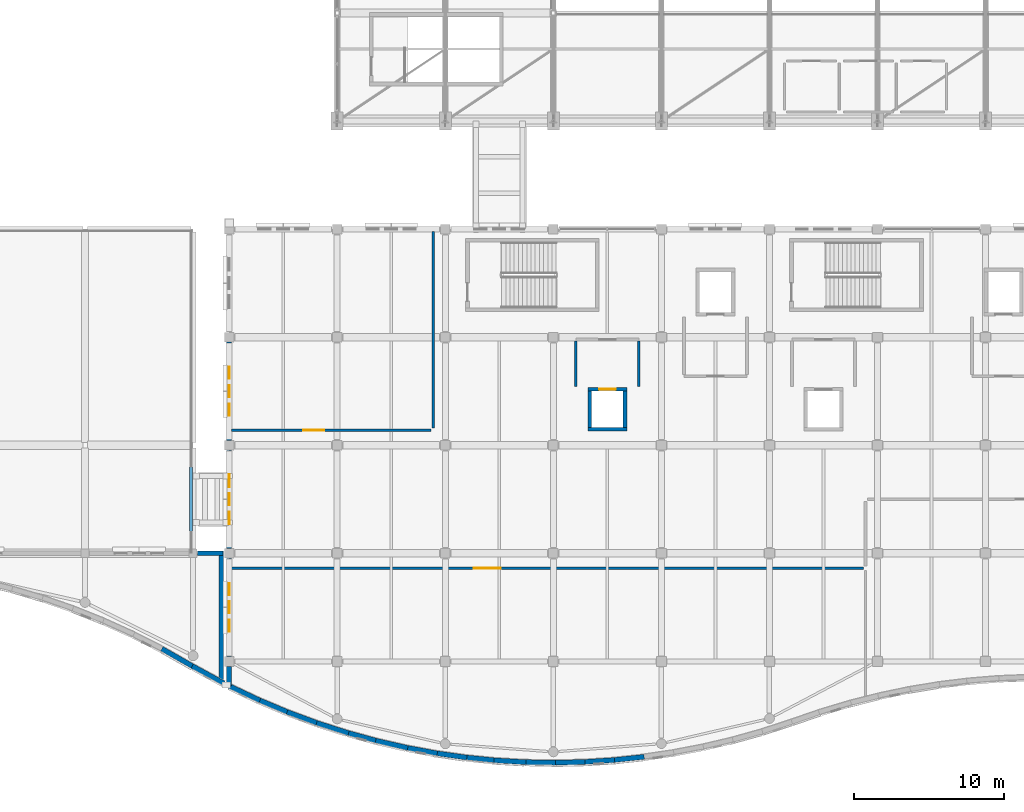
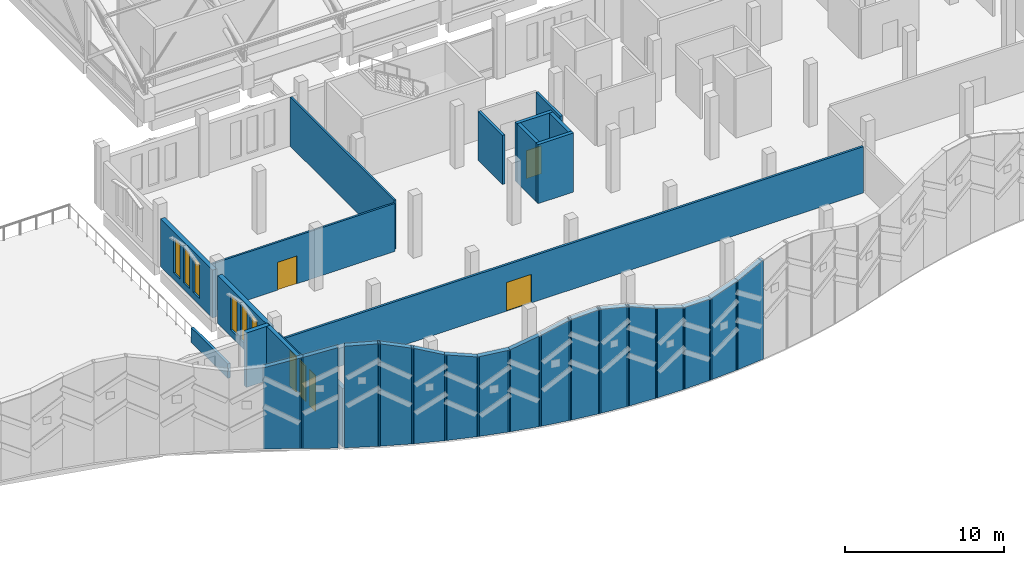
# One storey, part 88 of 116: 32 walls, 9 windows, 3 doors, 12 openings.
"""IFC4 building model written with IfcOpenShell, lengths in metres."""

from ifc_helpers import new_model, si_unit, direction, frame, frame_2d, origin, place, context, subcontext, project, spatial, polyline, rectangle, outline, extrude, material, layer, layer_set, type_object, element, fill, save


model = new_model("IFC4")

# Units and contexts
model_context = context("Model", 3, precision=1e-05, world=origin(), true_north=direction((0.0, 1.0)))
body_context = subcontext(model_context, "Body", "Model", "MODEL_VIEW")
ifc_project = project(units=[si_unit("LENGTHUNIT", "METRE"), si_unit("AREAUNIT", "SQUARE_METRE"), si_unit("VOLUMEUNIT", "CUBIC_METRE"), si_unit("PLANEANGLEUNIT", "RADIAN"), si_unit("MASSUNIT", "GRAM", prefix="KILO")], contexts=[model_context])

# Site, building, storey
site_placement = place(None, origin())
site = spatial("IfcSite", under=ifc_project, at=site_placement, CompositionType="ELEMENT")
building_placement = place(site_placement, origin())
building = spatial("IfcBuilding", under=site, at=building_placement, Name="Cendralis Lancet Convention Centre", CompositionType="ELEMENT")
storey_placement = place(building_placement, frame((0.0, 0.0, 15.0)))
storey = spatial("IfcBuildingStorey", under=building, at=storey_placement, Name="L03", CompositionType="ELEMENT", Elevation=15.0)

# Walls
ifc_material_1 = material(Name="Buff sandstone ashlar and Concrete G40 (C40/50)", Category="masonry")
ifc_layer_1 = layer(ifc_material_1, 0.18994140625, Name="Buff sandstone ashlar and Concrete G40 (C40/50)")
ifc_layer_set_1 = layer_set([ifc_layer_1], Name="Buff sandstone ashlar and Concrete G40 (C40/50)")
wall_type_1 = type_object("IfcWallType", Name="ARC-EW-P190", PredefinedType="PARAPET", material=ifc_layer_set_1)
wall_1_placement = place(storey_placement, frame((129.449951171875, 15.699951171875, 0.0), z_axis=(0.0, 0.0, 1.0), x_axis=(0.0, 1.0, 0.0)))
element("IfcWall", 1, at=wall_1_placement, inside=storey, type_object=wall_type_1, Name="L03 Roof Parapet Wall PR-02 #008", PredefinedType="PARAPET", context=body_context, shape_type="SweptSolid", body=[
    extrude(rectangle(XDim=4.60009765625, YDim=0.18994140625, at=frame_2d((2.300048828125, 0.0))), origin(), (0.0, 0.0, 1.0), 1.1201171875),
])
ifc_layer_2 = layer(ifc_material_1, 0.280029296875, Name="Buff sandstone ashlar and Concrete G40 (C40/50)")
ifc_layer_set_2 = layer_set([ifc_layer_2], Name="Buff sandstone ashlar and Concrete G40 (C40/50)")
wall_type_2 = type_object("IfcWallType", Name="ARC-EW-W280", PredefinedType="STANDARD", material=ifc_layer_set_2)
wall_2_placement = place(storey_placement, frame((131.47998046875, 14.5400390625, 0.0), z_axis=(0.0, 0.0, 1.0), x_axis=(0.0, -1.0, 0.0)))
element("IfcWall", 2, at=wall_2_placement, inside=storey, type_object=wall_type_2, Name="L03 V4 Wave East End Wall", PredefinedType="STANDARD", context=body_context, shape_type="SweptSolid", body=[
    extrude(rectangle(XDim=8.797119140625, YDim=0.280029296875, at=frame_2d((4.3984375, 0.0))), origin(), (0.0, 0.0, 1.0), 4.199951171875),
])
ifc_layer_3 = layer(ifc_material_1, 0.320068359375, Name="Buff sandstone ashlar and Concrete G40 (C40/50)")
ifc_layer_set_3 = layer_set([ifc_layer_3], Name="Buff sandstone ashlar and Concrete G40 (C40/50)")
wall_type_3 = type_object("IfcWallType", Name="ARC-EW-W320", PredefinedType="STANDARD", material=ifc_layer_set_3)
wall_3_placement = place(storey_placement, frame((129.883056640625, 14.39990234375, 0.0), z_axis=(0.0, 0.0, 1.0), x_axis=(1.0, 0.0, 0.0)))
element("IfcWall", 3, at=wall_3_placement, inside=storey, type_object=wall_type_3, Name="L03 V4 Exterior Wall EW-06 #0228", PredefinedType="STANDARD", context=body_context, shape_type="SweptSolid", body=[
    extrude(rectangle(XDim=1.697021484375, YDim=0.320068359375, at=frame_2d((0.8486328125, 0.0))), origin(), (0.0, 0.0, 1.0), 4.199951171875),
])
wall_4_placement = place(storey_placement, frame((132.0, 5.56005859375, 0.0), z_axis=(0.0, 0.0, 1.0), x_axis=(0.0, 1.0, 0.0)))
element("IfcWall", 4, at=wall_4_placement, inside=storey, type_object=wall_type_3, Name="L03 V5 Exterior Wall EW-06 #0314", PredefinedType="STANDARD", context=body_context, shape_type="SweptSolid", body=[
    extrude(rectangle(XDim=1.306884765625, YDim=0.320068359375, at=frame_2d((0.6533203125, 0.0))), origin(), (0.0, 0.0, 1.0), 4.5),
])

# Wall, openings, windows
wall_5_placement = place(storey_placement, frame((132.0, 7.532958984375, 0.0), z_axis=(0.0, 0.0, 1.0), x_axis=(0.0, 1.0, 0.0)))
wall_5 = element("IfcWall", 5, at=wall_5_placement, inside=storey, type_object=wall_type_3, Name="L03 V5 Exterior Wall EW-06 #0315", PredefinedType="STANDARD", context=body_context, shape_type="SweptSolid", body=[
    extrude(rectangle(XDim=6.533935546875, YDim=0.320068359375, at=frame_2d((3.26708984375, 0.0))), origin(), (0.0, 0.0, 1.0), 3.56494140625),
])
opening_1_placement = place(wall_5_placement, frame((1.64697265625, 0.0, 0.5)))
opening_1 = element("IfcOpeningElement", 6, at=opening_1_placement, cuts=wall_5, Name="Opening WN-07", PredefinedType="OPENING", context=body_context, shape_type="SweptSolid", body=[
    extrude(rectangle(XDim=0.800048828125, YDim=2.75, at=frame_2d((0.39990234375, 1.375))), frame((0.0, 0.169921875, 0.0), z_axis=(0.0, -1.0, 0.0), x_axis=(1.0, 0.0, 0.0)), (0.0, 0.0, 1.0), 0.340087890625),
])
opening_2_placement = place(wall_5_placement, frame((2.866943359375, 0.0, 0.5)))
opening_2 = element("IfcOpeningElement", 7, at=opening_2_placement, cuts=wall_5, Name="Opening WN-07", PredefinedType="OPENING", context=body_context, shape_type="SweptSolid", body=[
    extrude(rectangle(XDim=0.800048828125, YDim=2.75, at=frame_2d((0.39990234375, 1.375))), frame((0.0, 0.169921875, 0.0), z_axis=(0.0, -1.0, 0.0), x_axis=(1.0, 0.0, 0.0)), (0.0, 0.0, 1.0), 0.340087890625),
])
opening_3_placement = place(wall_5_placement, frame((4.0869140625, 0.0, 0.5)))
opening_3 = element("IfcOpeningElement", 8, at=opening_3_placement, cuts=wall_5, Name="Opening WN-07", PredefinedType="OPENING", context=body_context, shape_type="SweptSolid", body=[
    extrude(rectangle(XDim=0.800048828125, YDim=2.75, at=frame_2d((0.39990234375, 1.375))), frame((0.0, 0.169921875, 0.0), z_axis=(0.0, -1.0, 0.0), x_axis=(1.0, 0.0, 0.0)), (0.0, 0.0, 1.0), 0.340087890625),
])
ifc_material_2 = material(Name="Double-glazed low-E solar-control glass", Category="glass")
window_type_1 = type_object("IfcWindowType", Name="ARC-WN-LW07", PartitioningType="SINGLE_PANEL", PredefinedType="WINDOW", material=ifc_material_2)
window_1_placement = place(opening_1_placement, origin())
window_1 = element("IfcWindow", 9, at=window_1_placement, inside=storey, type_object=window_type_1, Name="Gothic Lancet Window WN-07 #0622", OverallHeight=2.75, OverallWidth=0.800048828125, PartitioningType="SINGLE_PANEL", PredefinedType="WINDOW", context=body_context, shape_type="SweptSolid", body=[
    extrude(rectangle(XDim=0.800048828125, YDim=2.75, at=frame_2d((0.39990234375, 1.375))), frame((0.0, 0.030029296875, 0.0), z_axis=(0.0, -1.0, 0.0), x_axis=(1.0, 0.0, 0.0)), (0.0, 0.0, 1.0), 0.06005859375),
])
fill(opening_1, window_1)
window_2_placement = place(opening_2_placement, origin())
window_2 = element("IfcWindow", 10, at=window_2_placement, inside=storey, type_object=window_type_1, Name="Gothic Lancet Window WN-07 #0623", OverallHeight=2.75, OverallWidth=0.800048828125, PartitioningType="SINGLE_PANEL", PredefinedType="WINDOW", context=body_context, shape_type="SweptSolid", body=[
    extrude(rectangle(XDim=0.800048828125, YDim=2.75, at=frame_2d((0.39990234375, 1.375))), frame((0.0, 0.030029296875, 0.0), z_axis=(0.0, -1.0, 0.0), x_axis=(1.0, 0.0, 0.0)), (0.0, 0.0, 1.0), 0.06005859375),
])
fill(opening_2, window_2)
window_3_placement = place(opening_3_placement, origin())
window_3 = element("IfcWindow", 11, at=window_3_placement, inside=storey, type_object=window_type_1, Name="Gothic Lancet Window WN-07 #0624", OverallHeight=2.75, OverallWidth=0.800048828125, PartitioningType="SINGLE_PANEL", PredefinedType="WINDOW", context=body_context, shape_type="SweptSolid", body=[
    extrude(rectangle(XDim=0.800048828125, YDim=2.75, at=frame_2d((0.39990234375, 1.375))), frame((0.0, 0.030029296875, 0.0), z_axis=(0.0, -1.0, 0.0), x_axis=(1.0, 0.0, 0.0)), (0.0, 0.0, 1.0), 0.06005859375),
])
fill(opening_3, window_3)

wall_6_placement = place(storey_placement, frame((132.0, 14.73291015625, 0.0), z_axis=(0.0, 0.0, 1.0), x_axis=(0.0, 1.0, 0.0)))
wall_6 = element("IfcWall", 12, at=wall_6_placement, inside=storey, type_object=wall_type_3, Name="L03 V5 Exterior Wall EW-06 #0316", PredefinedType="STANDARD", context=body_context, shape_type="SweptSolid", body=[
    extrude(rectangle(XDim=6.5341796875, YDim=0.320068359375, at=frame_2d((3.26708984375, 0.0))), origin(), (0.0, 0.0, 1.0), 3.68505859375),
])
opening_4_placement = place(wall_6_placement, frame((1.60693359375, 0.0, 0.5)))
opening_4 = element("IfcOpeningElement", 13, at=opening_4_placement, cuts=wall_6, Name="Opening WN-15", PredefinedType="OPENING", context=body_context, shape_type="SweptSolid", body=[
    extrude(rectangle(XDim=0.840087890625, YDim=2.699951171875, at=frame_2d((0.419921875, 1.35009765625))), frame((0.0, 0.169921875, 0.0), z_axis=(0.0, -1.0, 0.0), x_axis=(1.0, 0.0, 0.0)), (0.0, 0.0, 1.0), 0.340087890625),
])
opening_5_placement = place(wall_6_placement, frame((2.866943359375, 0.0, 0.5)))
opening_5 = element("IfcOpeningElement", 14, at=opening_5_placement, cuts=wall_6, Name="Opening WN-07", PredefinedType="OPENING", context=body_context, shape_type="SweptSolid", body=[
    extrude(rectangle(XDim=0.800048828125, YDim=2.75, at=frame_2d((0.39990234375, 1.375))), frame((0.0, 0.169921875, 0.0), z_axis=(0.0, -1.0, 0.0), x_axis=(1.0, 0.0, 0.0)), (0.0, 0.0, 1.0), 0.340087890625),
])
opening_6_placement = place(wall_6_placement, frame((4.0869140625, 0.0, 0.5)))
opening_6 = element("IfcOpeningElement", 15, at=opening_6_placement, cuts=wall_6, Name="Opening WN-15", PredefinedType="OPENING", context=body_context, shape_type="SweptSolid", body=[
    extrude(rectangle(XDim=0.840087890625, YDim=2.699951171875, at=frame_2d((0.419921875, 1.35009765625))), frame((0.0, 0.169921875, 0.0), z_axis=(0.0, -1.0, 0.0), x_axis=(1.0, 0.0, 0.0)), (0.0, 0.0, 1.0), 0.340087890625),
])
window_4_placement = place(opening_5_placement, origin())
window_4 = element("IfcWindow", 16, at=window_4_placement, inside=storey, type_object=window_type_1, Name="Gothic Lancet Window WN-07 #0626", OverallHeight=2.75, OverallWidth=0.800048828125, PartitioningType="SINGLE_PANEL", PredefinedType="WINDOW", context=body_context, shape_type="SweptSolid", body=[
    extrude(rectangle(XDim=0.800048828125, YDim=2.75, at=frame_2d((0.39990234375, 1.375))), frame((0.0, 0.030029296875, 0.0), z_axis=(0.0, -1.0, 0.0), x_axis=(1.0, 0.0, 0.0)), (0.0, 0.0, 1.0), 0.06005859375),
])
fill(opening_5, window_4)
window_type_2 = type_object("IfcWindowType", Name="ARC-WN-LW15", PartitioningType="SINGLE_PANEL", PredefinedType="WINDOW", material=ifc_material_2)
window_5_placement = place(opening_4_placement, origin())
window_5 = element("IfcWindow", 17, at=window_5_placement, inside=storey, type_object=window_type_2, Name="Gothic Lancet Window WN-15 #0625", OverallHeight=2.699951171875, OverallWidth=0.840087890625, PartitioningType="SINGLE_PANEL", PredefinedType="WINDOW", context=body_context, shape_type="SweptSolid", body=[
    extrude(rectangle(XDim=0.840087890625, YDim=2.699951171875, at=frame_2d((0.419921875, 1.35009765625))), frame((0.0, 0.030029296875, 0.0), z_axis=(0.0, -1.0, 0.0), x_axis=(1.0, 0.0, 0.0)), (0.0, 0.0, 1.0), 0.06005859375),
])
fill(opening_4, window_5)
window_6_placement = place(opening_6_placement, origin())
window_6 = element("IfcWindow", 18, at=window_6_placement, inside=storey, type_object=window_type_2, Name="Gothic Lancet Window WN-15 #0627", OverallHeight=2.699951171875, OverallWidth=0.840087890625, PartitioningType="SINGLE_PANEL", PredefinedType="WINDOW", context=body_context, shape_type="SweptSolid", body=[
    extrude(rectangle(XDim=0.840087890625, YDim=2.699951171875, at=frame_2d((0.419921875, 1.35009765625))), frame((0.0, 0.030029296875, 0.0), z_axis=(0.0, -1.0, 0.0), x_axis=(1.0, 0.0, 0.0)), (0.0, 0.0, 1.0), 0.06005859375),
])
fill(opening_6, window_6)

wall_7_placement = place(storey_placement, frame((132.0, 21.93310546875, 0.0), z_axis=(0.0, 0.0, 1.0), x_axis=(0.0, 1.0, 0.0)))
wall_7 = element("IfcWall", 19, at=wall_7_placement, inside=storey, type_object=wall_type_3, Name="L03 V5 Exterior Wall EW-06 #0317", PredefinedType="STANDARD", context=body_context, shape_type="SweptSolid", body=[
    extrude(rectangle(XDim=6.533935546875, YDim=0.320068359375, at=frame_2d((3.26708984375, 0.0))), origin(), (0.0, 0.0, 1.0), 3.68505859375),
])
opening_7_placement = place(wall_7_placement, frame((1.64697265625, 0.0, 0.5)))
opening_7 = element("IfcOpeningElement", 20, at=opening_7_placement, cuts=wall_7, Name="Opening WN-07", PredefinedType="OPENING", context=body_context, shape_type="SweptSolid", body=[
    extrude(rectangle(XDim=0.800048828125, YDim=2.75, at=frame_2d((0.39990234375, 1.375))), frame((0.0, 0.169921875, 0.0), z_axis=(0.0, -1.0, 0.0), x_axis=(1.0, 0.0, 0.0)), (0.0, 0.0, 1.0), 0.340087890625),
])
opening_8_placement = place(wall_7_placement, frame((2.866943359375, 0.0, 0.5)))
opening_8 = element("IfcOpeningElement", 21, at=opening_8_placement, cuts=wall_7, Name="Opening WN-07", PredefinedType="OPENING", context=body_context, shape_type="SweptSolid", body=[
    extrude(rectangle(XDim=0.800048828125, YDim=2.75, at=frame_2d((0.39990234375, 1.375))), frame((0.0, 0.169921875, 0.0), z_axis=(0.0, -1.0, 0.0), x_axis=(1.0, 0.0, 0.0)), (0.0, 0.0, 1.0), 0.340087890625),
])
opening_9_placement = place(wall_7_placement, frame((4.0869140625, 0.0, 0.5)))
opening_9 = element("IfcOpeningElement", 22, at=opening_9_placement, cuts=wall_7, Name="Opening WN-07", PredefinedType="OPENING", context=body_context, shape_type="SweptSolid", body=[
    extrude(rectangle(XDim=0.800048828125, YDim=2.75, at=frame_2d((0.39990234375, 1.375))), frame((0.0, 0.169921875, 0.0), z_axis=(0.0, -1.0, 0.0), x_axis=(1.0, 0.0, 0.0)), (0.0, 0.0, 1.0), 0.340087890625),
])
window_7_placement = place(opening_7_placement, origin())
window_7 = element("IfcWindow", 23, at=window_7_placement, inside=storey, type_object=window_type_1, Name="Gothic Lancet Window WN-07 #0628", OverallHeight=2.75, OverallWidth=0.800048828125, PartitioningType="SINGLE_PANEL", PredefinedType="WINDOW", context=body_context, shape_type="SweptSolid", body=[
    extrude(rectangle(XDim=0.800048828125, YDim=2.75, at=frame_2d((0.39990234375, 1.375))), frame((0.0, 0.030029296875, 0.0), z_axis=(0.0, -1.0, 0.0), x_axis=(1.0, 0.0, 0.0)), (0.0, 0.0, 1.0), 0.06005859375),
])
fill(opening_7, window_7)
window_8_placement = place(opening_8_placement, origin())
window_8 = element("IfcWindow", 24, at=window_8_placement, inside=storey, type_object=window_type_1, Name="Gothic Lancet Window WN-07 #0629", OverallHeight=2.75, OverallWidth=0.800048828125, PartitioningType="SINGLE_PANEL", PredefinedType="WINDOW", context=body_context, shape_type="SweptSolid", body=[
    extrude(rectangle(XDim=0.800048828125, YDim=2.75, at=frame_2d((0.39990234375, 1.375))), frame((0.0, 0.030029296875, 0.0), z_axis=(0.0, -1.0, 0.0), x_axis=(1.0, 0.0, 0.0)), (0.0, 0.0, 1.0), 0.06005859375),
])
fill(opening_8, window_8)
window_9_placement = place(opening_9_placement, origin())
window_9 = element("IfcWindow", 25, at=window_9_placement, inside=storey, type_object=window_type_1, Name="Gothic Lancet Window WN-07 #0630", OverallHeight=2.75, OverallWidth=0.800048828125, PartitioningType="SINGLE_PANEL", PredefinedType="WINDOW", context=body_context, shape_type="SweptSolid", body=[
    extrude(rectangle(XDim=0.800048828125, YDim=2.75, at=frame_2d((0.39990234375, 1.375))), frame((0.0, 0.030029296875, 0.0), z_axis=(0.0, -1.0, 0.0), x_axis=(1.0, 0.0, 0.0)), (0.0, 0.0, 1.0), 0.06005859375),
])
fill(opening_9, window_9)

# Walls
ifc_layer_4 = layer(ifc_material_1, 0.340087890625, Name="Buff sandstone ashlar and Concrete G40 (C40/50)")
ifc_layer_set_4 = layer_set([ifc_layer_4], Name="Buff sandstone ashlar and Concrete G40 (C40/50)")
wall_type_4 = type_object("IfcWallType", Name="ARC-EW-W340", PredefinedType="STANDARD", material=ifc_layer_set_4)
wall_8_placement = place(storey_placement, frame((127.51611328125, 8.037109375, 0.0), z_axis=(0.0, 0.0, 1.0), x_axis=(0.869365001854, -0.494170510605, 0.0)))
element("IfcWall", 26, at=wall_8_placement, inside=storey, type_object=wall_type_4, Name="South Boulevard Wave Crest Wall L03 WP-064-WP-065", PredefinedType="STANDARD", context=body_context, shape_type="SweptSolid", body=[
    extrude(outline(polyline([(0.0, 0.0), (2.499267578125, 0.0), (2.499267578125, 7.02001953125), (0.0, 6.22216796875), (0.0, 0.0)])), frame((0.0, 0.169921875, 0.0), z_axis=(0.0, -1.0, 0.0), x_axis=(1.0, 0.0, 0.0)), (0.0, 0.0, 1.0), 0.340087890625),
])
wall_9_placement = place(storey_placement, frame((129.540283203125, 6.884521484375, 0.0), z_axis=(0.0, 0.0, 1.0), x_axis=(0.878535047762, -0.477677893411, 0.0)))
element("IfcWall", 27, at=wall_9_placement, inside=storey, type_object=wall_type_4, Name="South Boulevard Wave Crest Wall L03 WP-065-WP-066", PredefinedType="STANDARD", context=body_context, shape_type="SweptSolid", body=[
    extrude(outline(polyline([(0.0, 0.0), (2.389892578125, 0.0), (2.389892578125, 7.731689453125), (0.0, 6.957763671875), (0.0, 0.0)])), frame((0.0, 0.169921875, 0.0), z_axis=(0.0, -1.0, 0.0), x_axis=(1.0, 0.0, 0.0)), (0.0, 0.0, 1.0), 0.340087890625),
])
wall_10_placement = place(storey_placement, frame((132.0, 5.56005859375, 0.0), z_axis=(0.0, 0.0, 1.0), x_axis=(0.903507193963, -0.428572923151, 0.0)))
element("IfcWall", 28, at=wall_10_placement, inside=storey, type_object=wall_type_4, Name="South Boulevard Wave Crest Wall L03 WP-067-WP-068", PredefinedType="STANDARD", context=body_context, shape_type="SweptSolid", body=[
    extrude(outline(polyline([(0.0, 0.0), (2.264404296875, 0.0), (2.264404296875, 7.89208984375), (0.0, 7.818115234375), (0.0, 0.0)])), frame((0.0, 0.169921875, 0.0), z_axis=(0.0, -1.0, 0.0), x_axis=(1.0, 0.0, 0.0)), (0.0, 0.0, 1.0), 0.340087890625),
])
wall_11_placement = place(storey_placement, frame((133.890625, 4.658935546875, 0.0), z_axis=(0.0, 0.0, 1.0), x_axis=(0.921828570825, -0.387597840564, 0.0)))
element("IfcWall", 29, at=wall_11_placement, inside=storey, type_object=wall_type_4, Name="South Boulevard Wave Crest Wall L03 WP-068-WP-069", PredefinedType="STANDARD", context=body_context, shape_type="SweptSolid", body=[
    extrude(outline(polyline([(0.0, 0.0), (2.305908203125, 0.0), (2.30615234375, 7.335205078125), (0.0, 7.91259765625), (0.0, 0.0)])), frame((0.0, 0.169921875, 0.0), z_axis=(0.0, -1.0, 0.0), x_axis=(1.0, 0.0, 0.0)), (0.0, 0.0, 1.0), 0.340087890625),
])
wall_12_placement = place(storey_placement, frame((135.8583984375, 3.827392578125, 0.0), z_axis=(0.0, 0.0, 1.0), x_axis=(0.93814646978, -0.346238647813, 0.0)))
element("IfcWall", 30, at=wall_12_placement, inside=storey, type_object=wall_type_4, Name="South Boulevard Wave Crest Wall L03 WP-069-WP-070", PredefinedType="STANDARD", context=body_context, shape_type="SweptSolid", body=[
    extrude(outline(polyline([(0.0, 0.0), (2.269775390625, 0.0), (2.269775390625, 6.556396484375), (0.0, 7.395263671875), (0.0, 0.0)])), frame((0.0, 0.169921875, 0.0), z_axis=(0.0, -1.0, 0.0), x_axis=(1.0, 0.0, 0.0)), (0.0, 0.0, 1.0), 0.340087890625),
])
wall_13_placement = place(storey_placement, frame((137.8271484375, 3.096923828125, 0.0), z_axis=(0.0, 0.0, 1.0), x_axis=(0.952169210283, -0.305571260083, 0.0)))
element("IfcWall", 31, at=wall_13_placement, inside=storey, type_object=wall_type_4, Name="South Boulevard Wave Crest Wall L03 WP-070-WP-071", PredefinedType="STANDARD", context=body_context, shape_type="SweptSolid", body=[
    extrude(outline(polyline([(0.0, 0.0), (2.23779296875, 0.0), (2.23779296875, 6.10498046875), (0.0, 6.614501953125), (0.0, 0.0)])), frame((0.0, 0.169921875, 0.0), z_axis=(0.0, -1.0, 0.0), x_axis=(1.0, 0.0, 0.0)), (0.0, 0.0, 1.0), 0.340087890625),
])
wall_14_placement = place(storey_placement, frame((139.794921875, 2.46142578125, 0.0), z_axis=(0.0, 0.0, 1.0), x_axis=(0.964393520916, -0.264471429108, 0.0)))
element("IfcWall", 32, at=wall_14_placement, inside=storey, type_object=wall_type_4, Name="South Boulevard Wave Crest Wall L03 WP-071-WP-072", PredefinedType="STANDARD", context=body_context, shape_type="SweptSolid", body=[
    extrude(outline(polyline([(0.0, 0.0), (2.2119140625, 0.0), (2.2119140625, 6.301025390625), (0.0, 6.119384765625), (0.0, 0.0)])), frame((0.0, 0.169921875, 0.0), z_axis=(0.0, -1.0, 0.0), x_axis=(1.0, 0.0, 0.0)), (0.0, 0.0, 1.0), 0.340087890625),
])
wall_15_placement = place(storey_placement, frame((141.76318359375, 1.91796875, 0.0), z_axis=(0.0, 0.0, 1.0), x_axis=(0.974752541238, -0.223287893424, 0.0)))
element("IfcWall", 33, at=wall_15_placement, inside=storey, type_object=wall_type_4, Name="South Boulevard Wave Crest Wall L03 WP-072-WP-073", PredefinedType="STANDARD", context=body_context, shape_type="SweptSolid", body=[
    extrude(outline(polyline([(0.0, 0.0), (2.18994140625, 0.0), (2.190185546875, 7.015869140625), (0.0, 6.260009765625), (0.0, 0.0)])), frame((0.0, 0.169921875, 0.0), z_axis=(0.0, -1.0, 0.0), x_axis=(1.0, 0.0, 0.0)), (0.0, 0.0, 1.0), 0.340087890625),
])
wall_16_placement = place(storey_placement, frame((143.7314453125, 1.46337890625, 0.0), z_axis=(0.0, 0.0, 1.0), x_axis=(0.983183551004, -0.182620111256, 0.0)))
element("IfcWall", 34, at=wall_16_placement, inside=storey, type_object=wall_type_4, Name="South Boulevard Wave Crest Wall L03 WP-073-WP-074", PredefinedType="STANDARD", context=body_context, shape_type="SweptSolid", body=[
    extrude(outline(polyline([(0.0, 0.0), (2.173828125, 0.0), (2.173828125, 7.760009765625), (0.0, 6.946044921875), (0.0, 0.0)])), frame((0.0, 0.169921875, 0.0), z_axis=(0.0, -1.0, 0.0), x_axis=(1.0, 0.0, 0.0)), (0.0, 0.0, 1.0), 0.340087890625),
])
wall_17_placement = place(storey_placement, frame((145.700927734375, 1.093994140625, 0.0), z_axis=(0.0, 0.0, 1.0), x_axis=(0.989974357752, -0.141247198176, 0.0)))
element("IfcWall", 35, at=wall_17_placement, inside=storey, type_object=wall_type_4, Name="South Boulevard Wave Crest Wall L03 WP-074-WP-075", PredefinedType="STANDARD", context=body_context, shape_type="SweptSolid", body=[
    extrude(outline(polyline([(0.0, 0.0), (2.158935546875, 0.0), (2.158935546875, 8.023681640625), (0.0, 7.709716796875), (0.0, 0.0)])), frame((0.0, 0.169921875, 0.0), z_axis=(0.0, -1.0, 0.0), x_axis=(1.0, 0.0, 0.0)), (0.0, 0.0, 1.0), 0.340087890625),
])
wall_18_placement = place(storey_placement, frame((147.66943359375, 0.8095703125, 0.0), z_axis=(0.0, 0.0, 1.0), x_axis=(0.994978527068, -0.100088614107, 0.0)))
element("IfcWall", 36, at=wall_18_placement, inside=storey, type_object=wall_type_4, Name="South Boulevard Wave Crest Wall L03 WP-075-WP-076", PredefinedType="STANDARD", context=body_context, shape_type="SweptSolid", body=[
    extrude(outline(polyline([(0.0, 0.0), (2.14892578125, 0.0), (2.14892578125, 7.631591796875), (0.0, 8.027587890625), (0.0, 0.0)])), frame((0.0, 0.169921875, 0.0), z_axis=(0.0, -1.0, 0.0), x_axis=(1.0, 0.0, 0.0)), (0.0, 0.0, 1.0), 0.340087890625),
])
wall_19_placement = place(storey_placement, frame((149.63818359375, 0.60791015625, 0.0), z_axis=(0.0, 0.0, 1.0), x_axis=(0.998242794365, -0.059256421583, 0.0)))
element("IfcWall", 37, at=wall_19_placement, inside=storey, type_object=wall_type_4, Name="South Boulevard Wave Crest Wall L03 WP-076-WP-077", PredefinedType="STANDARD", context=body_context, shape_type="SweptSolid", body=[
    extrude(outline(polyline([(0.0, 0.0), (2.142333984375, 0.0), (2.142578125, 6.863037109375), (0.0, 7.686767578125), (0.0, 0.0)])), frame((0.0, 0.169921875, 0.0), z_axis=(0.0, -1.0, 0.0), x_axis=(1.0, 0.0, 0.0)), (0.0, 0.0, 1.0), 0.340087890625),
])
wall_20_placement = place(storey_placement, frame((151.60693359375, 0.487548828125, 0.0), z_axis=(0.0, 0.0, 1.0), x_axis=(0.999833467677, -0.018249298977, 0.0)))
element("IfcWall", 38, at=wall_20_placement, inside=storey, type_object=wall_type_4, Name="South Boulevard Wave Crest Wall L03 WP-077-WP-078", PredefinedType="STANDARD", context=body_context, shape_type="SweptSolid", body=[
    extrude(outline(polyline([(0.0, 0.0), (2.140380859375, 0.0), (2.140380859375, 6.258544921875), (0.0, 6.930908203125), (0.0, 0.0)])), frame((0.0, 0.169921875, 0.0), z_axis=(0.0, -1.0, 0.0), x_axis=(1.0, 0.0, 0.0)), (0.0, 0.0, 1.0), 0.340087890625),
])
wall_21_placement = place(storey_placement, frame((153.576904296875, 0.447998046875, 0.0), z_axis=(0.0, 0.0, 1.0), x_axis=(0.999739592294, 0.022819894825, 0.0)))
element("IfcWall", 39, at=wall_21_placement, inside=storey, type_object=wall_type_4, Name="South Boulevard Wave Crest Wall L03 WP-078-WP-079", PredefinedType="STANDARD", context=body_context, shape_type="SweptSolid", body=[
    extrude(outline(polyline([(0.0, 0.0), (2.1396484375, 0.0), (2.1396484375, 6.2451171875), (0.0, 6.291259765625), (0.0, 0.0)])), frame((0.0, 0.169921875, 0.0), z_axis=(0.0, -1.0, 0.0), x_axis=(1.0, 0.0, 0.0)), (0.0, 0.0, 1.0), 0.340087890625),
])
wall_22_placement = place(storey_placement, frame((155.546142578125, 0.489501953125, 0.0), z_axis=(0.0, 0.0, 1.0), x_axis=(0.997955655169, 0.063910173807, 0.0)))
element("IfcWall", 40, at=wall_22_placement, inside=storey, type_object=wall_type_4, Name="South Boulevard Wave Crest Wall L03 WP-079-WP-080", PredefinedType="STANDARD", context=body_context, shape_type="SweptSolid", body=[
    extrude(outline(polyline([(0.0, 0.0), (2.14306640625, 0.0), (2.14306640625, 6.839111328125), (0.0, 6.219482421875), (0.0, 0.0)])), frame((0.0, 0.169921875, 0.0), z_axis=(0.0, -1.0, 0.0), x_axis=(1.0, 0.0, 0.0)), (0.0, 0.0, 1.0), 0.340087890625),
])
wall_23_placement = place(storey_placement, frame((157.515380859375, 0.612060546875, 0.0), z_axis=(0.0, 0.0, 1.0), x_axis=(0.994468682543, 0.105033515797, 0.0)))
element("IfcWall", 41, at=wall_23_placement, inside=storey, type_object=wall_type_4, Name="South Boulevard Wave Crest Wall L03 WP-080-WP-081", PredefinedType="STANDARD", context=body_context, shape_type="SweptSolid", body=[
    extrude(outline(polyline([(0.0, 0.0), (2.150146484375, 0.0), (2.14990234375, 7.63525390625), (0.0, 6.772216796875), (0.0, 0.0)])), frame((0.0, 0.169921875, 0.0), z_axis=(0.0, -1.0, 0.0), x_axis=(1.0, 0.0, 0.0)), (0.0, 0.0, 1.0), 0.340087890625),
])

# Wall, opening, door
ifc_material_3 = material(Name="Acoustic fire-rated gypsum board on steel studs", Category="steel")
ifc_layer_5 = layer(ifc_material_3, 0.139892578125, Name="Acoustic fire-rated gypsum board on steel studs")
ifc_layer_set_5 = layer_set([ifc_layer_5], Name="Acoustic fire-rated gypsum board on steel studs")
wall_type_5 = type_object("IfcWallType", Name="ARC-IW-P140", PredefinedType="PARTITIONING", material=ifc_layer_set_5)
wall_24_placement = place(storey_placement, frame((132.169921875, 22.60009765625, 0.0), z_axis=(0.0, 0.0, 1.0), x_axis=(1.0, 0.0, 0.0)))
wall_24 = element("IfcWall", 42, at=wall_24_placement, inside=storey, type_object=wall_type_5, Name="L03 Interior Partition IW-04 #0412", PredefinedType="PARTITIONING", context=body_context, shape_type="SweptSolid", body=[
    extrude(rectangle(XDim=13.2900390625, YDim=0.139892578125, at=frame_2d((6.64501953125, 0.0))), origin(), (0.0, 0.0, 1.0), 3.68505859375),
])
opening_10_placement = place(wall_24_placement, frame((4.756103515625, 0.0, 0.0)))
opening_10 = element("IfcOpeningElement", 43, at=opening_10_placement, cuts=wall_24, Name="Opening ID-14", PredefinedType="OPENING", context=body_context, shape_type="SweptSolid", body=[
    extrude(rectangle(XDim=1.39990234375, YDim=2.14990234375, at=frame_2d((0.699951171875, 1.074951171875))), frame((0.0, 0.079833984375, 0.0), z_axis=(0.0, -1.0, 0.0), x_axis=(1.0, 0.0, 0.0)), (0.0, 0.0, 1.0), 0.159912109375),
])
ifc_material_4 = material(Name="Acoustic Chilean lenga timber and steel fire leaf", Category="steel")
door_type_1 = type_object("IfcDoorType", Name="ARC-DR-DB14", OperationType="NOTDEFINED", PredefinedType="DOOR", material=ifc_material_4)
door_1_placement = place(opening_10_placement, frame((1.39990234375, 0.0, 0.0), z_axis=(0.0, 0.0, 1.0), x_axis=(-1.0, 0.0, 0.0)))
door_1 = element("IfcDoor", 44, at=door_1_placement, inside=storey, type_object=door_type_1, Name="L03-D024 L03 Interior Door ID-14 #0141", OperationType="DOUBLE_DOOR_SINGLE_SWING", OverallHeight=2.14990234375, OverallWidth=1.39990234375, PredefinedType="DOOR", context=body_context, shape_type="SweptSolid", body=[
    extrude(rectangle(XDim=1.39990234375, YDim=2.14990234375, at=frame_2d((0.699951171875, 1.074951171875))), frame((0.0, 0.02490234375, 0.0), z_axis=(0.0, -1.0, 0.0), x_axis=(1.0, 0.0, 0.0)), (0.0, 0.0, 1.0), 0.050048828125),
])
fill(opening_10, door_1)

# Wall
wall_25_placement = place(storey_placement, frame((145.60009765625, 22.739990234375, 0.0), z_axis=(0.0, 0.0, 1.0), x_axis=(0.0, 1.0, 0.0)))
element("IfcWall", 45, at=wall_25_placement, inside=storey, type_object=wall_type_5, Name="L03 Interior Partition IW-04 #0413", PredefinedType="PARTITIONING", context=body_context, shape_type="SweptSolid", body=[
    extrude(rectangle(XDim=13.090087890625, YDim=0.139892578125, at=frame_2d((6.544921875, 0.0))), origin(), (0.0, 0.0, 1.0), 3.784912109375),
])

# Wall, opening, door
ifc_layer_6 = layer(ifc_material_3, 0.159912109375, Name="Acoustic fire-rated gypsum board on steel studs")
ifc_layer_set_6 = layer_set([ifc_layer_6], Name="Acoustic fire-rated gypsum board on steel studs")
wall_type_6 = type_object("IfcWallType", Name="ARC-IW-P160", PredefinedType="PARTITIONING", material=ifc_layer_set_6)
wall_26_placement = place(storey_placement, frame((132.169921875, 13.39990234375, 0.0), z_axis=(0.0, 0.0, 1.0), x_axis=(1.0, 0.0, 0.0)))
wall_26 = element("IfcWall", 46, at=wall_26_placement, inside=storey, type_object=wall_type_6, Name="L03 Interior Partition IW-03 #0405", PredefinedType="PARTITIONING", context=body_context, shape_type="SweptSolid", body=[
    extrude(rectangle(XDim=42.090087890625, YDim=0.159912109375, at=frame_2d((21.044921875, 0.0))), origin(), (0.0, 0.0, 1.0), 3.56494140625),
])
opening_11_placement = place(wall_26_placement, frame((16.115966796875, 0.0, 0.0)))
opening_11 = element("IfcOpeningElement", 47, at=opening_11_placement, cuts=wall_26, Name="Opening ID-18", PredefinedType="OPENING", context=body_context, shape_type="SweptSolid", body=[
    extrude(rectangle(XDim=1.800048828125, YDim=2.199951171875, at=frame_2d((0.89990234375, 1.10009765625))), frame((0.0, 0.08984375, 0.0), z_axis=(0.0, -1.0, 0.0), x_axis=(1.0, 0.0, 0.0)), (0.0, 0.0, 1.0), 0.179931640625),
])
door_type_2 = type_object("IfcDoorType", Name="ARC-DR-DB18", OperationType="NOTDEFINED", PredefinedType="DOOR", material=ifc_material_4)
door_2_placement = place(opening_11_placement, origin())
door_2 = element("IfcDoor", 48, at=door_2_placement, inside=storey, type_object=door_type_2, Name="L03-D021 L03 Interior Door ID-18 #0138", OperationType="DOUBLE_DOOR_SINGLE_SWING", OverallHeight=2.199951171875, OverallWidth=1.800048828125, PredefinedType="DOOR", context=body_context, shape_type="SweptSolid", body=[
    extrude(rectangle(XDim=1.800048828125, YDim=2.199951171875, at=frame_2d((0.89990234375, 1.10009765625))), frame((0.0, 0.02490234375, 0.0), z_axis=(0.0, -1.0, 0.0), x_axis=(1.0, 0.0, 0.0)), (0.0, 0.0, 1.0), 0.050048828125),
])
fill(opening_11, door_2)

# Walls
ifc_layer_7 = layer(ifc_material_3, 0.179931640625, Name="Acoustic fire-rated gypsum board on steel studs")
ifc_layer_set_7 = layer_set([ifc_layer_7], Name="Acoustic fire-rated gypsum board on steel studs")
wall_type_7 = type_object("IfcWallType", Name="ARC-IW-P180", PredefinedType="PARTITIONING", material=ifc_layer_set_7)
for number, where, z_axis, x_axis, name in (
    (49, (155.10009765625, 25.5, 0.0), (0.0, 0.0, 1.0), (0.0, 1.0, 0.0), "L03 Lift Lobby LP-01 West Wall"),
    (50, (159.300048828125, 25.5, 0.0), (0.0, 0.0, 1.0), (0.0, 1.0, 0.0), "L03 Lift Lobby LP-01 East Wall"),
):
    element("IfcWall", number, at=place(storey_placement, frame(where, z_axis=z_axis, x_axis=x_axis)), inside=storey, type_object=wall_type_7, Name=name, PredefinedType="PARTITIONING", context=body_context, shape_type="SweptSolid", body=[
        extrude(rectangle(XDim=3.050048828125, YDim=0.179931640625, at=frame_2d((1.52490234375, 0.0))), origin(), (0.0, 0.0, 1.0), 3.784912109375),
    ])
ifc_material_5 = material(Name="Concrete G40 (C40/50)", Category="concrete")
ifc_layer_8 = layer(ifc_material_5, 0.25, Name="Concrete G40 (C40/50)")
ifc_layer_set_8 = layer_set([ifc_layer_8], Name="Concrete G40 (C40/50)")
wall_type_8 = type_object("IfcWallType", Name="STR-SW-CW250", PredefinedType="SHEAR", material=ifc_layer_set_8)
wall_27_placement = place(storey_placement, frame((155.89990234375, 22.675048828125, 0.0), z_axis=(0.0, 0.0, 1.0), x_axis=(1.0, 0.0, 0.0)))
element("IfcWall", 51, at=wall_27_placement, inside=storey, type_object=wall_type_8, Name="L03 Lift LP-01 South Shaft Wall", PredefinedType="SHEAR", context=body_context, shape_type="SweptSolid", body=[
    extrude(rectangle(XDim=2.60009765625, YDim=0.25, at=frame_2d((1.300048828125, 0.0))), origin(), (0.0, 0.0, 1.0), 4.550048828125),
])

# Wall, opening, door
wall_28_placement = place(storey_placement, frame((155.89990234375, 25.324951171875, 0.0), z_axis=(0.0, 0.0, 1.0), x_axis=(1.0, 0.0, 0.0)))
wall_28 = element("IfcWall", 52, at=wall_28_placement, inside=storey, type_object=wall_type_8, Name="L03 Lift LP-01 North Shaft Wall", PredefinedType="SHEAR", context=body_context, shape_type="SweptSolid", body=[
    extrude(rectangle(XDim=2.60009765625, YDim=0.25, at=frame_2d((1.300048828125, 0.0))), origin(), (0.0, 0.0, 1.0), 4.550048828125),
])
opening_12_placement = place(wall_28_placement, frame((0.75, 0.0, 0.0)))
opening_12 = element("IfcOpeningElement", 53, at=opening_12_placement, cuts=wall_28, Name="Opening LD-11", PredefinedType="OPENING", context=body_context, shape_type="SweptSolid", body=[
    extrude(rectangle(XDim=1.10009765625, YDim=2.14990234375, at=frame_2d((0.550048828125, 1.074951171875))), frame((0.0, 0.135009765625, 0.0), z_axis=(0.0, -1.0, 0.0), x_axis=(1.0, 0.0, 0.0)), (0.0, 0.0, 1.0), 0.27001953125),
])
ifc_material_6 = material(Name="Anodised bronze architectural aluminium", Category="aluminium")
door_type_3 = type_object("IfcDoorType", Name="ARC-DR-LD11", OperationType="NOTDEFINED", PredefinedType="DOOR", material=ifc_material_6)
door_3_placement = place(opening_12_placement, origin())
door_3 = element("IfcDoor", 54, at=door_3_placement, inside=storey, type_object=door_type_3, Name="L03-D032 L03 Lift LP-01 Sliding Landing Door", OperationType="SLIDING_TO_RIGHT", OverallHeight=2.14990234375, OverallWidth=1.10009765625, PredefinedType="DOOR", context=body_context, shape_type="SweptSolid", body=[
    extrude(rectangle(XDim=1.10009765625, YDim=2.14990234375, at=frame_2d((0.550048828125, 1.074951171875))), frame((0.0, 0.02490234375, 0.0), z_axis=(0.0, -1.0, 0.0), x_axis=(1.0, 0.0, 0.0)), (0.0, 0.0, 1.0), 0.050048828125),
])
fill(opening_12, door_3)

# Walls
for number, where, z_axis, x_axis, name in (
    (55, (156.02490234375, 22.800048828125, 0.0), (0.0, 0.0, 1.0), (0.0, 1.0, 0.0), "L03 Lift LP-01 West Shaft Wall"),
    (56, (158.375, 22.800048828125, 0.0), (0.0, 0.0, 1.0), (0.0, 1.0, 0.0), "L03 Lift LP-01 East Shaft Wall"),
):
    element("IfcWall", number, at=place(storey_placement, frame(where, z_axis=z_axis, x_axis=x_axis)), inside=storey, type_object=wall_type_8, Name=name, PredefinedType="SHEAR", context=body_context, shape_type="SweptSolid", body=[
        extrude(rectangle(XDim=2.39990234375, YDim=0.25, at=frame_2d((1.199951171875, 0.0))), origin(), (0.0, 0.0, 1.0), 4.550048828125),
    ])

save(model, "model.ifc")
